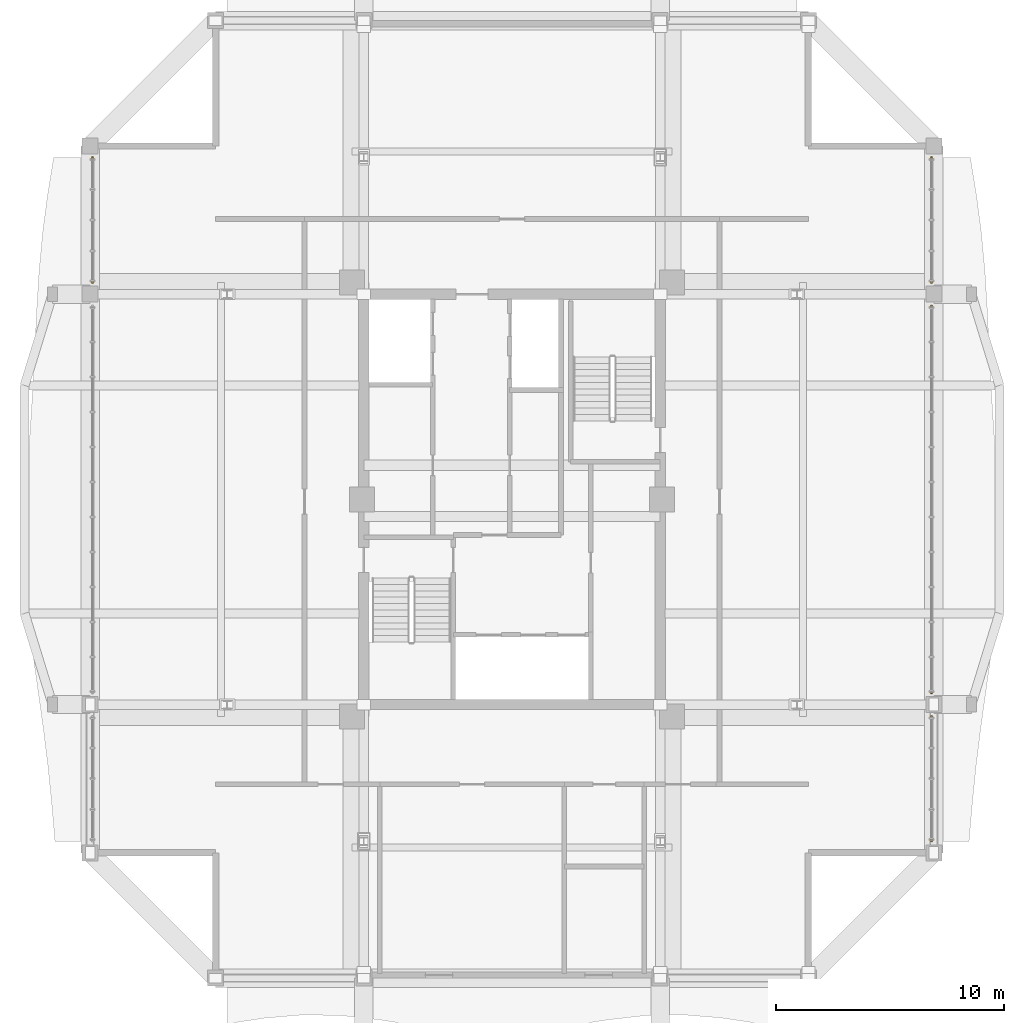
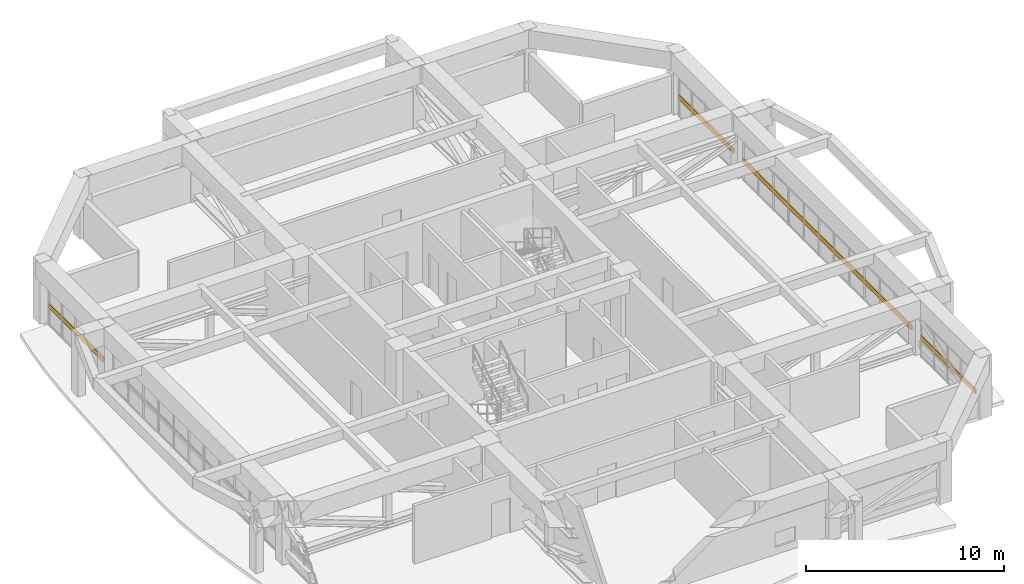
# One storey, part 25 of 25: 4 shading devices.
"""IFC4 building model written with IfcOpenShell, lengths in metres."""

from ifc_helpers import new_model, si_unit, direction, frame, origin, origin_2d, place, context, subcontext, project, spatial, rectangle, extrude, source, transform, mapped, material, material_profile, profile_set, type_object, element, save


model = new_model("IFC4")

# Units and contexts
model_context = context("Model", 3, precision=1e-05, world=origin(), true_north=direction((0.0, 1.0)))
body_context = subcontext(model_context, "Body", "Model", "MODEL_VIEW")
ifc_project = project(units=[si_unit("LENGTHUNIT", "METRE"), si_unit("AREAUNIT", "SQUARE_METRE"), si_unit("VOLUMEUNIT", "CUBIC_METRE"), si_unit("PLANEANGLEUNIT", "RADIAN"), si_unit("MASSUNIT", "GRAM", prefix="KILO")], contexts=[model_context])

# Site, building, storey
site_placement = place(None, origin())
site = spatial("IfcSite", under=ifc_project, at=site_placement, CompositionType="ELEMENT")
building_placement = place(site_placement, origin())
building = spatial("IfcBuilding", under=site, at=building_placement, Name="Saelheon Loggia Tower", CompositionType="ELEMENT")
storey_placement = place(building_placement, frame((0.0, 0.0, 206.5)))
storey = spatial("IfcBuildingStorey", under=building, at=storey_placement, Name="L64", CompositionType="ELEMENT", Elevation=206.5)

# Shading devices
ifc_material = material(Name="Bronze-Anodised Aluminium 6063-T6", Category="aluminium")
ifc_material_profile = material_profile(ifc_material, rectangle(XDim=0.080078125, YDim=0.300048828125, at=origin_2d()), Name="Louvre_Refuge_LV_RF1")
ifc_profile_set = profile_set([ifc_material_profile], Name="Bronze-Anodised Aluminium 6063-T6")
shading_device_type = type_object("IfcShadingDeviceType", Name="Louvre_Refuge_LV_RF1", PredefinedType="JALOUSIE", material=ifc_profile_set)
shared_shape_1 = source(origin(), body_context, "Body", "SweptSolid", [
    extrude(rectangle(XDim=0.080078125, YDim=0.300048828125, at=origin_2d()), origin(), (0.0, 0.0, 1.0), 17.0400390625),
])
shading_device_placement = place(storey_placement, frame((56.39990234375, 18.47998046875, 1.14990234375), z_axis=(0.0, 1.0, 0.0), x_axis=(-1.0, 0.0, 0.0)))
element("IfcShadingDevice", 1, at=shading_device_placement, inside=storey, type_object=shading_device_type, Name="L64 Refuge Acoustic Louvre Blade", PredefinedType="JALOUSIE", context=body_context, shape_type="MappedRepresentation", body=[
    mapped(shared_shape_1, transform((0.0, 0.0, 0.0), scale=1.0)),
])
shared_shape_2 = source(origin(), body_context, "Body", "SweptSolid", [
    extrude(rectangle(XDim=0.080078125, YDim=0.300048828125, at=origin_2d()), origin(), (0.0, 0.0, 1.0), 5.5400390625),
])
for number, where, z_axis, x_axis, name in (
    (2, (19.60009765625, 36.47998046875, 1.14990234375), (0.0, 1.0, 0.0), (-1.0, 0.0, 0.0), "L64 Refuge Acoustic Louvre Blade"),
    (3, (56.39990234375, 11.97998046875, 1.14990234375), (0.0, 1.0, 0.0), (-1.0, 0.0, 0.0), "L64 Refuge Acoustic Louvre Blade"),
    (4, (56.39990234375, 36.47998046875, 1.14990234375), (0.0, 1.0, 0.0), (-1.0, 0.0, 0.0), "L64 Refuge Acoustic Louvre Blade"),
):
    element("IfcShadingDevice", number, at=place(storey_placement, frame(where, z_axis=z_axis, x_axis=x_axis)), inside=storey, type_object=shading_device_type, Name=name, PredefinedType="JALOUSIE", context=body_context, shape_type="MappedRepresentation", body=[
        mapped(shared_shape_2, transform((0.0, 0.0, 0.0), scale=1.0)),
    ])

save(model, "model.ifc")
